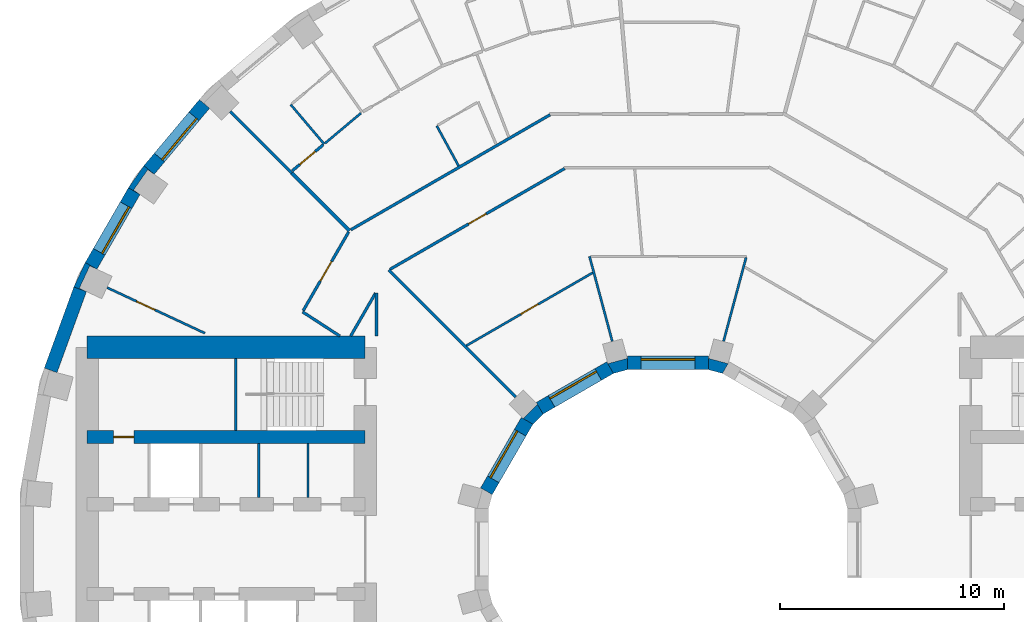
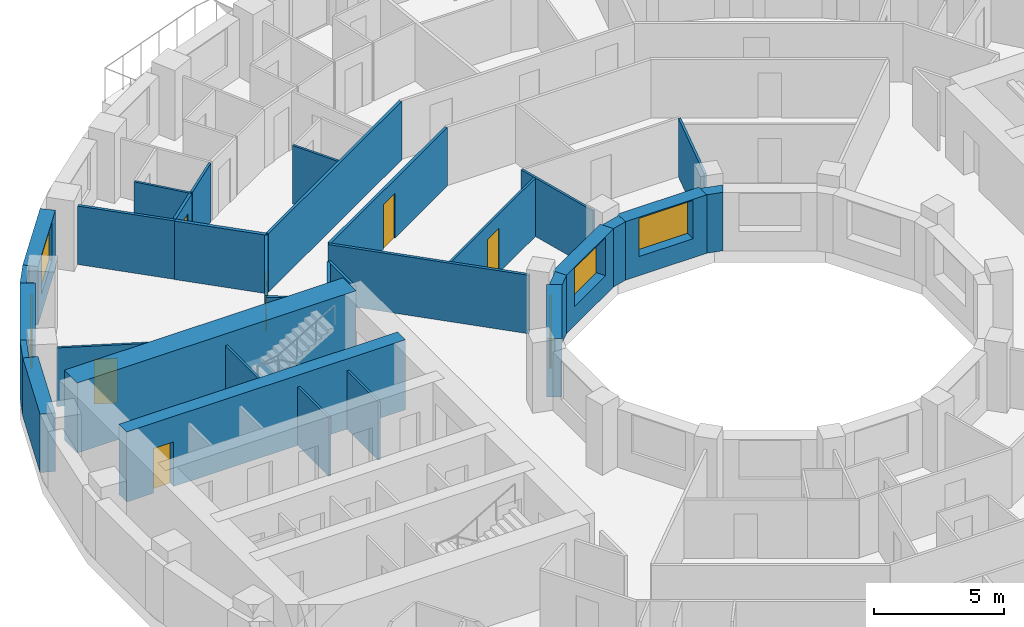
# One storey, part 10 of 15: 33 walls, 6 doors, 5 windows, 11 openings.
"""IFC4 building model written with IfcOpenShell, lengths in metres."""

from ifc_helpers import new_model, si_unit, direction, frame, frame_2d, origin, place, context, subcontext, project, spatial, polyline, rectangle, outline, extrude, material, layer, layer_set, type_object, element, fill, save


model = new_model("IFC4")

# Units and contexts
model_context = context("Model", 3, precision=1e-05, world=origin(), true_north=direction((0.0, 1.0)))
body_context = subcontext(model_context, "Body", "Model", "MODEL_VIEW")
ifc_project = project(units=[si_unit("LENGTHUNIT", "METRE"), si_unit("AREAUNIT", "SQUARE_METRE"), si_unit("VOLUMEUNIT", "CUBIC_METRE"), si_unit("PLANEANGLEUNIT", "RADIAN"), si_unit("MASSUNIT", "GRAM", prefix="KILO")], contexts=[model_context])

# Site, building, storey
site_placement = place(None, origin())
site = spatial("IfcSite", under=ifc_project, at=site_placement, CompositionType="ELEMENT")
building_placement = place(site_placement, origin())
building = spatial("IfcBuilding", under=site, at=building_placement, Name="Saqina Gate Tower", CompositionType="ELEMENT")
storey_placement = place(building_placement, frame((0.0, 0.0, 75.800048828125)))
storey = spatial("IfcBuildingStorey", under=building, at=storey_placement, Name="L21", CompositionType="ELEMENT", Elevation=75.800048828125)

# Walls
ifc_material_1 = material(Name="Brick masonry (red)", Category="masonry")
wall_type_1 = type_object("IfcWallType", Name="BRICK PIER COPING RED", PredefinedType="SOLIDWALL", material=ifc_material_1)
wall_1_placement = place(storey_placement, origin())
element("IfcWall", 1, at=wall_1_placement, inside=storey, type_object=wall_type_1, Name="Pier cap L21 column 15", PredefinedType="SOLIDWALL", context=body_context, shape_type="SweptSolid", body=[
    extrude(outline(polyline([(-23.36669921875, 17.096923828125), (-24.0576171875, 16.110107421875), (-23.5380859375, 15.81005859375), (-23.8251953125, 16.010986328125), (-23.194091796875, 16.912109375), (-22.9072265625, 16.711181640625), (-23.36669921875, 17.096923828125)])), origin(), (0.0, 0.0, 1.0), 2.75),
])
wall_2_placement = place(storey_placement, origin())
element("IfcWall", 2, at=wall_2_placement, inside=storey, type_object=wall_type_1, Name="Pier cap L21 column 16", PredefinedType="SOLIDWALL", context=body_context, shape_type="SweptSolid", body=[
    extrude(outline(polyline([(-26.48974609375, 11.687744140625), (-25.92578125, 11.482666015625), (-26.243408203125, 11.630615234375), (-25.778564453125, 12.627685546875), (-25.4609375, 12.4794921875), (-25.980712890625, 12.779541015625), (-26.48974609375, 11.687744140625)])), origin(), (0.0, 0.0, 1.0), 2.75),
])
ifc_material_2 = material(Name="Gypsum board on steel studs", Category="steel")
ifc_layer_1 = layer(ifc_material_2, 0.10009765625)
ifc_layer_set_1 = layer_set([ifc_layer_1], Name="CORE PARTITION")
wall_type_2 = type_object("IfcWallType", Name="CORE PARTITION", PredefinedType="PARTITIONING", material=ifc_layer_set_1)
for number, where, z_axis, x_axis, name in (
    (3, (-16.052001953125, 2.300048828125, 0.0), (0.0, 0.0, 1.0), (0.0, 1.0, 0.0), "L21-CP-W01"),
    (4, (-18.24072265625, 2.300048828125, 0.0), (0.0, 0.0, 1.0), (0.0, 1.0, 0.0), "L21-CP-W02"),
):
    element("IfcWall", number, at=place(storey_placement, frame(where, z_axis=z_axis, x_axis=x_axis)), inside=storey, type_object=wall_type_2, Name=name, PredefinedType="PARTITIONING", context=body_context, shape_type="SweptSolid", body=[
        extrude(rectangle(XDim=2.39990234375, YDim=0.10009765625, at=frame_2d((1.199951171875, 0.0))), origin(), (0.0, 0.0, 1.0), 2.75),
    ])

# Wall, opening, window
ifc_material_3 = material(Name="Brick masonry (red)", Category="masonry")
ifc_layer_2 = layer(ifc_material_3, 0.60009765625)
ifc_layer_set_2 = layer_set([ifc_layer_2], Name="FW-BRICK-RED")
wall_type_3 = type_object("IfcWallType", Name="FW-BRICK-RED", PredefinedType="SOLIDWALL", material=ifc_layer_set_2)
wall_3_placement = place(storey_placement, frame((-20.664794921875, 19.85009765625, 0.0), z_axis=(0.0, 0.0, 1.0), x_axis=(-0.642809392687, -0.766026164483, 0.0)))
wall_3 = element("IfcWall", 5, at=wall_3_placement, inside=storey, type_object=wall_type_3, Name="Facade wall L21 facet 14", PredefinedType="SOLIDWALL", context=body_context, shape_type="SweptSolid", body=[
    extrude(rectangle(XDim=3.845947265625, YDim=0.60009765625, at=frame_2d((1.9228515625, 0.0))), origin(), (0.0, 0.0, 1.0), 2.75),
])
opening_1_placement = place(wall_3_placement, frame((0.722900390625, 0.0, 0.89990234375)))
opening_1 = element("IfcOpeningElement", 6, at=opening_1_placement, cuts=wall_3, Name="Opening G06-W08", PredefinedType="OPENING", context=body_context, shape_type="SweptSolid", body=[
    extrude(rectangle(XDim=2.39990234375, YDim=1.800048828125, at=frame_2d((1.199951171875, 0.89990234375))), frame((0.0, 0.31201171875, 0.0), z_axis=(0.0, -1.0, 0.0), x_axis=(1.0, 0.0, 0.0)), (0.0, 0.0, 1.0), 0.6240234375),
])
ifc_material_4 = material(Name="Aluminium glazing", Category="aluminium")
window_type_1 = type_object("IfcWindowType", Name="WN-A", PartitioningType="SINGLE_PANEL", PredefinedType="WINDOW", material=ifc_material_4)
window_1_placement = place(opening_1_placement, origin())
window_1 = element("IfcWindow", 7, at=window_1_placement, inside=storey, type_object=window_type_1, Name="Window L21 facet 14", OverallHeight=1.800048828125, OverallWidth=2.39990234375, PartitioningType="SINGLE_PANEL", PredefinedType="WINDOW", context=body_context, shape_type="SweptSolid", body=[
    extrude(rectangle(XDim=2.39990234375, YDim=1.800048828125, at=frame_2d((1.199951171875, 0.89990234375))), frame((0.0, 0.179931640625, 0.0), z_axis=(0.0, -1.0, 0.0), x_axis=(1.0, 0.0, 0.0)), (0.0, 0.0, 1.0), 0.06005859375),
])
fill(opening_1, window_1)

wall_4_placement = place(storey_placement, frame((-23.7978515625, 15.960205078125, 0.0), z_axis=(0.0, 0.0, 1.0), x_axis=(-0.499989888488, -0.86603124159, 0.0)))
wall_4 = element("IfcWall", 8, at=wall_4_placement, inside=storey, type_object=wall_type_3, Name="Facade wall L21 facet 15", PredefinedType="SOLIDWALL", context=body_context, shape_type="SweptSolid", body=[
    extrude(rectangle(XDim=3.845703125, YDim=0.60009765625, at=frame_2d((1.9228515625, 0.0))), origin(), (0.0, 0.0, 1.0), 2.75),
])
opening_2_placement = place(wall_4_placement, frame((0.722900390625, 0.0, 0.89990234375)))
opening_2 = element("IfcOpeningElement", 9, at=opening_2_placement, cuts=wall_4, Name="Opening G06-W09", PredefinedType="OPENING", context=body_context, shape_type="SweptSolid", body=[
    extrude(rectangle(XDim=2.39990234375, YDim=1.800048828125, at=frame_2d((1.199951171875, 0.89990234375))), frame((0.0, 0.31201171875, 0.0), z_axis=(0.0, -1.0, 0.0), x_axis=(1.0, 0.0, 0.0)), (0.0, 0.0, 1.0), 0.6240234375),
])
window_2_placement = place(opening_2_placement, origin())
window_2 = element("IfcWindow", 10, at=window_2_placement, inside=storey, type_object=window_type_1, Name="Window L21 facet 15", OverallHeight=1.800048828125, OverallWidth=2.39990234375, PartitioningType="SINGLE_PANEL", PredefinedType="WINDOW", context=body_context, shape_type="SweptSolid", body=[
    extrude(rectangle(XDim=2.39990234375, YDim=1.800048828125, at=frame_2d((1.199951171875, 0.89990234375))), frame((0.0, 0.179931640625, 0.0), z_axis=(0.0, -1.0, 0.0), x_axis=(1.0, 0.0, 0.0)), (0.0, 0.0, 1.0), 0.06005859375),
])
fill(opening_2, window_2)

# Wall
ifc_material_5 = material(Name="Glazed ceramic tile", Category="ceramic")
ifc_layer_3 = layer(ifc_material_5, 0.60009765625)
ifc_layer_set_3 = layer_set([ifc_layer_3], Name="FW-TILE")
wall_type_4 = type_object("IfcWallType", Name="FW-TILE", PredefinedType="SOLIDWALL", material=ifc_layer_set_3)
wall_5_placement = place(storey_placement, frame((-26.207763671875, 11.585205078125, 0.0), z_axis=(0.0, 0.0, 1.0), x_axis=(-0.342028474173, -0.939689588564, 0.0)))
element("IfcWall", 11, at=wall_5_placement, inside=storey, type_object=wall_type_4, Name="Facade wall L21 facet 16", PredefinedType="SOLIDWALL", context=body_context, shape_type="SweptSolid", body=[
    extrude(rectangle(XDim=3.845947265625, YDim=0.60009765625, at=frame_2d((1.9228515625, 0.0))), origin(), (0.0, 0.0, 1.0), 2.75),
])

# Wall, opening, window
ifc_material_6 = material(Name="Glazed ceramic tile", Category="ceramic")
ifc_layer_4 = layer(ifc_material_6, 0.60009765625)
ifc_layer_set_4 = layer_set([ifc_layer_4], Name="IW-TILE")
wall_type_5 = type_object("IfcWallType", Name="IW-TILE", PredefinedType="SOLIDWALL", material=ifc_layer_set_4)
wall_6_placement = place(storey_placement, frame((1.8125, 8.300048828125, 0.0), z_axis=(0.0, 0.0, 1.0), x_axis=(-1.0, 0.0, 0.0)))
wall_6 = element("IfcWall", 12, at=wall_6_placement, inside=storey, type_object=wall_type_5, Name="Well wall L21 facet 3", PredefinedType="SOLIDWALL", context=body_context, shape_type="SweptSolid", body=[
    extrude(rectangle(XDim=3.625, YDim=0.60009765625, at=frame_2d((1.8125, 0.0))), origin(), (0.0, 0.0, 1.0), 2.75),
])
opening_3_placement = place(wall_6_placement, frame((0.612548828125, 0.0, 0.89990234375)))
opening_3 = element("IfcOpeningElement", 13, at=opening_3_placement, cuts=wall_6, Name="Opening G06-W25", PredefinedType="OPENING", context=body_context, shape_type="SweptSolid", body=[
    extrude(rectangle(XDim=2.39990234375, YDim=1.800048828125, at=frame_2d((1.199951171875, 0.89990234375))), frame((0.0, 0.31201171875, 0.0), z_axis=(0.0, -1.0, 0.0), x_axis=(1.0, 0.0, 0.0)), (0.0, 0.0, 1.0), 0.6240234375),
])
ifc_material_7 = material(Name="Aluminium glazing", Category="aluminium")
window_type_2 = type_object("IfcWindowType", Name="WN-W", PartitioningType="SINGLE_PANEL", PredefinedType="WINDOW", material=ifc_material_7)
window_3_placement = place(opening_3_placement, origin())
window_3 = element("IfcWindow", 14, at=window_3_placement, inside=storey, type_object=window_type_2, Name="Well window L21 facet 3", OverallHeight=1.800048828125, OverallWidth=2.39990234375, PartitioningType="SINGLE_PANEL", PredefinedType="WINDOW", context=body_context, shape_type="SweptSolid", body=[
    extrude(rectangle(XDim=2.39990234375, YDim=1.800048828125, at=frame_2d((1.199951171875, 0.89990234375))), frame((0.0, -0.119873046875, 0.0), z_axis=(0.0, -1.0, 0.0), x_axis=(1.0, 0.0, 0.0)), (0.0, 0.0, 1.0), 0.06005859375),
])
fill(opening_3, window_3)

wall_7_placement = place(storey_placement, frame((-2.580322265625, 8.09423828125, 0.0), z_axis=(0.0, 0.0, 1.0), x_axis=(-0.866029693906, -0.499992569217, 0.0)))
wall_7 = element("IfcWall", 15, at=wall_7_placement, inside=storey, type_object=wall_type_5, Name="Well wall L21 facet 4", PredefinedType="SOLIDWALL", context=body_context, shape_type="SweptSolid", body=[
    extrude(rectangle(XDim=3.625, YDim=0.60009765625, at=frame_2d((1.8125, 0.0))), origin(), (0.0, 0.0, 1.0), 2.75),
])
opening_4_placement = place(wall_7_placement, frame((0.612548828125, 0.0, 0.89990234375)))
opening_4 = element("IfcOpeningElement", 16, at=opening_4_placement, cuts=wall_7, Name="Opening G06-W26", PredefinedType="OPENING", context=body_context, shape_type="SweptSolid", body=[
    extrude(rectangle(XDim=2.39990234375, YDim=1.800048828125, at=frame_2d((1.199951171875, 0.89990234375))), frame((0.0, 0.31201171875, 0.0), z_axis=(0.0, -1.0, 0.0), x_axis=(1.0, 0.0, 0.0)), (0.0, 0.0, 1.0), 0.6240234375),
])
window_4_placement = place(opening_4_placement, origin())
window_4 = element("IfcWindow", 17, at=window_4_placement, inside=storey, type_object=window_type_2, Name="Well window L21 facet 4", OverallHeight=1.800048828125, OverallWidth=2.39990234375, PartitioningType="SINGLE_PANEL", PredefinedType="WINDOW", context=body_context, shape_type="SweptSolid", body=[
    extrude(rectangle(XDim=2.39990234375, YDim=1.800048828125, at=frame_2d((1.199951171875, 0.89990234375))), frame((0.0, -0.119873046875, 0.0), z_axis=(0.0, -1.0, 0.0), x_axis=(1.0, 0.0, 0.0)), (0.0, 0.0, 1.0), 0.06005859375),
])
fill(opening_4, window_4)

wall_8_placement = place(storey_placement, frame((-6.28173828125, 5.7197265625, 0.0), z_axis=(0.0, 0.0, 1.0), x_axis=(-0.499992569217, -0.866029693906, 0.0)))
wall_8 = element("IfcWall", 18, at=wall_8_placement, inside=storey, type_object=wall_type_5, Name="Well wall L21 facet 5", PredefinedType="SOLIDWALL", context=body_context, shape_type="SweptSolid", body=[
    extrude(rectangle(XDim=3.625, YDim=0.60009765625, at=frame_2d((1.8125, 0.0))), origin(), (0.0, 0.0, 1.0), 2.75),
])
opening_5_placement = place(wall_8_placement, frame((0.612548828125, 0.0, 0.89990234375)))
opening_5 = element("IfcOpeningElement", 19, at=opening_5_placement, cuts=wall_8, Name="Opening G06-W27", PredefinedType="OPENING", context=body_context, shape_type="SweptSolid", body=[
    extrude(rectangle(XDim=2.39990234375, YDim=1.800048828125, at=frame_2d((1.199951171875, 0.89990234375))), frame((0.0, 0.31201171875, 0.0), z_axis=(0.0, -1.0, 0.0), x_axis=(1.0, 0.0, 0.0)), (0.0, 0.0, 1.0), 0.6240234375),
])
window_5_placement = place(opening_5_placement, origin())
window_5 = element("IfcWindow", 20, at=window_5_placement, inside=storey, type_object=window_type_2, Name="Well window L21 facet 5", OverallHeight=1.800048828125, OverallWidth=2.39990234375, PartitioningType="SINGLE_PANEL", PredefinedType="WINDOW", context=body_context, shape_type="SweptSolid", body=[
    extrude(rectangle(XDim=2.39990234375, YDim=1.800048828125, at=frame_2d((1.199951171875, 0.89990234375))), frame((0.0, -0.119873046875, 0.0), z_axis=(0.0, -1.0, 0.0), x_axis=(1.0, 0.0, 0.0)), (0.0, 0.0, 1.0), 0.06005859375),
])
fill(opening_5, window_5)

# Walls
ifc_material_8 = material(Name="Gypsum board on steel studs, 100 mm", Category="steel")
ifc_layer_5 = layer(ifc_material_8, 0.10009765625)
ifc_layer_set_5 = layer_set([ifc_layer_5], Name="PARTITION 100")
wall_type_6 = type_object("IfcWallType", Name="PARTITION 100", PredefinedType="PARTITIONING", material=ifc_layer_set_5)
wall_9_placement = place(storey_placement, frame((-3.4970703125, 13.050048828125, 0.0), z_axis=(0.0, 0.0, 1.0), x_axis=(0.25883367308, -0.965921906616, 0.0)))
element("IfcWall", 21, at=wall_9_placement, inside=storey, type_object=wall_type_6, Name="PARTITION PW3-08", PredefinedType="PARTITIONING", context=body_context, shape_type="SweptSolid", body=[
    extrude(rectangle(XDim=3.918212890625, YDim=0.10009765625, at=frame_2d((1.958984375, 0.0))), origin(), (0.0, 0.0, 1.0), 2.75),
])
wall_10_placement = place(storey_placement, frame((-10.31005859375, 18.8740234375, 0.0), z_axis=(0.0, 0.0, 1.0), x_axis=(0.479305195881, -0.877648294707, 0.0)))
element("IfcWall", 22, at=wall_10_placement, inside=storey, type_object=wall_type_6, Name="PARTITION PW3-19", PredefinedType="PARTITIONING", context=body_context, shape_type="SweptSolid", body=[
    extrude(rectangle(XDim=2.03857421875, YDim=0.10009765625, at=frame_2d((1.019287109375, 0.0))), origin(), (0.0, 0.0, 1.0), 2.75),
])
wall_11_placement = place(storey_placement, frame((-16.81689453125, 19.81591796875, 0.0), z_axis=(0.0, 0.0, 1.0), x_axis=(0.646883930741, -0.762588473653, 0.0)))
element("IfcWall", 23, at=wall_11_placement, inside=storey, type_object=wall_type_6, Name="PARTITION PW3-33", PredefinedType="PARTITIONING", context=body_context, shape_type="SweptSolid", body=[
    extrude(rectangle(XDim=2.300048828125, YDim=0.10009765625, at=frame_2d((1.14990234375, 0.0))), origin(), (0.0, 0.0, 1.0), 2.75),
])

# Wall, opening, door
wall_12_placement = place(storey_placement, frame((-25.005126953125, 11.659912109375, 0.0), z_axis=(0.0, 0.0, 1.0), x_axis=(0.90635409516, -0.422518939442, 0.0)))
wall_12 = element("IfcWall", 24, at=wall_12_placement, inside=storey, type_object=wall_type_6, Name="PARTITION PW3-47", PredefinedType="PARTITIONING", context=body_context, shape_type="SweptSolid", body=[
    extrude(rectangle(XDim=4.813720703125, YDim=0.10009765625, at=frame_2d((2.40673828125, 0.0))), origin(), (0.0, 0.0, 1.0), 2.75),
])
opening_6_placement = place(wall_12_placement, frame((1.453125, 0.0, 0.0)))
opening_6 = element("IfcOpeningElement", 25, at=opening_6_placement, cuts=wall_12, Name="Opening G06-D33", PredefinedType="OPENING", context=body_context, shape_type="SweptSolid", body=[
    extrude(rectangle(XDim=0.89990234375, YDim=2.10009765625, at=frame_2d((0.449951171875, 1.050048828125))), frame((0.0, 0.06201171875, 0.0), z_axis=(0.0, -1.0, 0.0), x_axis=(1.0, 0.0, 0.0)), (0.0, 0.0, 1.0), 0.1240234375),
])
ifc_material_9 = material(Name="Timber door leaf, 900 mm", Category="wood")
door_type_1 = type_object("IfcDoorType", Name="DOOR 900 TIMBER", OperationType="SINGLE_SWING_LEFT", PredefinedType="DOOR", material=ifc_material_9)
door_1_placement = place(opening_6_placement, origin())
door_1 = element("IfcDoor", 26, at=door_1_placement, inside=storey, type_object=door_type_1, Name="DOOR G06-D33", OperationType="SINGLE_SWING_LEFT", OverallHeight=2.10009765625, OverallWidth=0.89990234375, PredefinedType="DOOR", context=body_context, shape_type="SweptSolid", body=[
    extrude(rectangle(XDim=0.89990234375, YDim=2.10009765625, at=frame_2d((0.449951171875, 1.050048828125))), frame((0.0, 0.02490234375, 0.0), z_axis=(0.0, -1.0, 0.0), x_axis=(1.0, 0.0, 0.0)), (0.0, 0.0, 1.0), 0.050048828125),
])
fill(opening_6, door_1)

wall_13_placement = place(storey_placement, frame((-8.98681640625, 9.072265625, 0.0), z_axis=(0.0, 0.0, 1.0), x_axis=(0.866049975988, 0.49995743728, 0.0)))
wall_13 = element("IfcWall", 27, at=wall_13_placement, inside=storey, type_object=wall_type_6, Name="PARTITION PW3-78", PredefinedType="PARTITIONING", context=body_context, shape_type="SweptSolid", body=[
    extrude(rectangle(XDim=6.50537109375, YDim=0.10009765625, at=frame_2d((3.252685546875, 0.0))), origin(), (0.0, 0.0, 1.0), 2.75),
])
opening_7_placement = place(wall_13_placement, frame((2.796875, 0.0, 0.0)))
opening_7 = element("IfcOpeningElement", 28, at=opening_7_placement, cuts=wall_13, Name="Opening G06-D27", PredefinedType="OPENING", context=body_context, shape_type="SweptSolid", body=[
    extrude(rectangle(XDim=0.89990234375, YDim=2.10009765625, at=frame_2d((0.449951171875, 1.050048828125))), frame((0.0, 0.06201171875, 0.0), z_axis=(0.0, -1.0, 0.0), x_axis=(1.0, 0.0, 0.0)), (0.0, 0.0, 1.0), 0.1240234375),
])
door_2_placement = place(opening_7_placement, origin())
door_2 = element("IfcDoor", 29, at=door_2_placement, inside=storey, type_object=door_type_1, Name="DOOR G06-D27", OperationType="SINGLE_SWING_LEFT", OverallHeight=2.10009765625, OverallWidth=0.89990234375, PredefinedType="DOOR", context=body_context, shape_type="SweptSolid", body=[
    extrude(rectangle(XDim=0.89990234375, YDim=2.10009765625, at=frame_2d((0.449951171875, 1.050048828125))), frame((0.0, 0.02490234375, 0.0), z_axis=(0.0, -1.0, 0.0), x_axis=(1.0, 0.0, 0.0)), (0.0, 0.0, 1.0), 0.050048828125),
])
fill(opening_7, door_2)

# Walls
wall_14_placement = place(storey_placement, frame((-15.290771484375, 18.09423828125, 0.0), z_axis=(0.0, 0.0, 1.0), x_axis=(0.765911671875, 0.642945807114, 0.0)))
element("IfcWall", 30, at=wall_14_placement, inside=storey, type_object=wall_type_6, Name="PARTITION PW3-90", PredefinedType="PARTITIONING", context=body_context, shape_type="SweptSolid", body=[
    extrude(rectangle(XDim=2.092529296875, YDim=0.10009765625, at=frame_2d((1.04638671875, 0.0))), origin(), (0.0, 0.0, 1.0), 2.75),
])
wall_15_placement = place(storey_placement, frame((2.4794921875, 9.26611328125, 0.0), z_axis=(0.0, 0.0, 1.0), x_axis=(0.259708651599, 0.965687017768, 0.0)))
element("IfcWall", 31, at=wall_15_placement, inside=storey, type_object=wall_type_6, Name="PARTITION PW3-111", PredefinedType="PARTITIONING", context=body_context, shape_type="SweptSolid", body=[
    extrude(rectangle(XDim=3.868408203125, YDim=0.10009765625, at=frame_2d((1.93408203125, 0.0))), origin(), (0.0, 0.0, 1.0), 2.75),
])
ifc_material_10 = material(Name="Gypsum board on steel studs, 125 mm, fire rated", Category="steel")
ifc_layer_6 = layer(ifc_material_10, 0.125)
ifc_layer_set_6 = layer_set([ifc_layer_6], Name="PARTITION EI 30 125")
wall_type_7 = type_object("IfcWallType", Name="PARTITION EI 30 125", PredefinedType="PARTITIONING", material=ifc_layer_set_6)
wall_16_placement = place(storey_placement, frame((-19.509033203125, 19.509033203125, 0.0), z_axis=(0.0, 0.0, 1.0), x_axis=(0.707106781187, -0.707106781187, 0.0)))
element("IfcWall", 32, at=wall_16_placement, inside=storey, type_object=wall_type_7, Name="PARTITION PW1-12", PredefinedType="PARTITIONING", context=body_context, shape_type="SweptSolid", body=[
    extrude(rectangle(XDim=3.87255859375, YDim=0.125, at=frame_2d((1.936279296875, 0.0))), origin(), (0.0, 0.0, 1.0), 2.75),
])
wall_17_placement = place(storey_placement, frame((-12.445068359375, 12.445068359375, 0.0), z_axis=(0.0, 0.0, 1.0), x_axis=(0.707106781187, -0.707106781187, 0.0)))
element("IfcWall", 33, at=wall_17_placement, inside=storey, type_object=wall_type_7, Name="PARTITION PW1-13", PredefinedType="PARTITIONING", context=body_context, shape_type="SweptSolid", body=[
    extrude(rectangle(XDim=8.0078125, YDim=0.125, at=frame_2d((4.00390625, 0.0))), origin(), (0.0, 0.0, 1.0), 2.75),
])
wall_18_placement = place(storey_placement, frame((-16.29296875, 10.580078125, 0.0), z_axis=(0.0, 0.0, 1.0), x_axis=(0.838803325008, -0.544434552499, 0.0)))
element("IfcWall", 34, at=wall_18_placement, inside=storey, type_object=wall_type_7, Name="PARTITION PW1-18", PredefinedType="PARTITIONING", context=body_context, shape_type="SweptSolid", body=[
    extrude(rectangle(XDim=1.98388671875, YDim=0.125, at=frame_2d((0.991943359375, 0.0))), origin(), (0.0, 0.0, 1.0), 2.75),
])

# Wall, opening, door
wall_19_placement = place(storey_placement, frame((-12.390869140625, 12.476318359375, 0.0), z_axis=(0.0, 0.0, 1.0), x_axis=(0.866042609802, 0.499970197119, 0.0)))
wall_19 = element("IfcWall", 35, at=wall_19_placement, inside=storey, type_object=wall_type_7, Name="PARTITION PW1-47", PredefinedType="PARTITIONING", context=body_context, shape_type="SweptSolid", body=[
    extrude(rectangle(XDim=8.9853515625, YDim=0.125, at=frame_2d((4.49267578125, 0.0))), origin(), (0.0, 0.0, 1.0), 2.75),
])
opening_8_placement = place(wall_19_placement, frame((4.042724609375, 0.0, 0.0)))
opening_8 = element("IfcOpeningElement", 36, at=opening_8_placement, cuts=wall_19, Name="Opening G06-D28", PredefinedType="OPENING", context=body_context, shape_type="SweptSolid", body=[
    extrude(rectangle(XDim=0.89990234375, YDim=2.10009765625, at=frame_2d((0.449951171875, 1.050048828125))), frame((0.0, 0.074462890625, 0.0), z_axis=(0.0, -1.0, 0.0), x_axis=(1.0, 0.0, 0.0)), (0.0, 0.0, 1.0), 0.14892578125),
])
ifc_material_11 = material(Name="Fire door leaf EI 30, 900 mm")
door_type_2 = type_object("IfcDoorType", Name="DOOR 900 EI 30", OperationType="SINGLE_SWING_LEFT", PredefinedType="DOOR", material=ifc_material_11)
door_3_placement = place(opening_8_placement, frame((0.89990234375, 0.0, 0.0), z_axis=(0.0, 0.0, 1.0), x_axis=(-1.0, 0.0, 0.0)))
door_3 = element("IfcDoor", 37, at=door_3_placement, inside=storey, type_object=door_type_2, Name="DOOR G06-D28", OperationType="SINGLE_SWING_RIGHT", OverallHeight=2.10009765625, OverallWidth=0.89990234375, PredefinedType="DOOR", context=body_context, shape_type="SweptSolid", body=[
    extrude(rectangle(XDim=0.89990234375, YDim=2.10009765625, at=frame_2d((0.449951171875, 1.050048828125))), frame((0.0, 0.02490234375, 0.0), z_axis=(0.0, -1.0, 0.0), x_axis=(1.0, 0.0, 0.0)), (0.0, 0.0, 1.0), 0.050048828125),
])
fill(opening_8, door_3)

# Wall
wall_20_placement = place(storey_placement, frame((-14.136962890625, 14.239501953125, 0.0), z_axis=(0.0, 0.0, 1.0), x_axis=(0.866045301435, 0.499965534674, 0.0)))
element("IfcWall", 38, at=wall_20_placement, inside=storey, type_object=wall_type_7, Name="PARTITION PW1-48", PredefinedType="PARTITIONING", context=body_context, shape_type="SweptSolid", body=[
    extrude(rectangle(XDim=10.259033203125, YDim=0.125, at=frame_2d((5.12939453125, 0.0))), origin(), (0.0, 0.0, 1.0), 2.75),
])

# Wall, opening, door
wall_21_placement = place(storey_placement, frame((-16.757568359375, 16.86328125, 0.0), z_axis=(0.0, 0.0, 1.0), x_axis=(0.766088979655, 0.642734529375, 0.0)))
wall_21 = element("IfcWall", 39, at=wall_21_placement, inside=storey, type_object=wall_type_7, Name="PARTITION PW1-52", PredefinedType="PARTITIONING", context=body_context, shape_type="SweptSolid", body=[
    extrude(rectangle(XDim=1.81494140625, YDim=0.125, at=frame_2d((0.907470703125, 0.0))), origin(), (0.0, 0.0, 1.0), 2.75),
])
opening_9_placement = place(wall_21_placement, frame((0.44482421875, 0.0, 0.0)))
opening_9 = element("IfcOpeningElement", 40, at=opening_9_placement, cuts=wall_21, Name="Opening G06-D31", PredefinedType="OPENING", context=body_context, shape_type="SweptSolid", body=[
    extrude(rectangle(XDim=0.89990234375, YDim=2.10009765625, at=frame_2d((0.449951171875, 1.050048828125))), frame((0.0, 0.074462890625, 0.0), z_axis=(0.0, -1.0, 0.0), x_axis=(1.0, 0.0, 0.0)), (0.0, 0.0, 1.0), 0.14892578125),
])
door_4_placement = place(opening_9_placement, frame((0.89990234375, 0.0, 0.0), z_axis=(0.0, 0.0, 1.0), x_axis=(-1.0, 0.0, 0.0)))
door_4 = element("IfcDoor", 41, at=door_4_placement, inside=storey, type_object=door_type_2, Name="DOOR G06-D31", OperationType="SINGLE_SWING_RIGHT", OverallHeight=2.10009765625, OverallWidth=0.89990234375, PredefinedType="DOOR", context=body_context, shape_type="SweptSolid", body=[
    extrude(rectangle(XDim=0.89990234375, YDim=2.10009765625, at=frame_2d((0.449951171875, 1.050048828125))), frame((0.0, 0.02490234375, 0.0), z_axis=(0.0, -1.0, 0.0), x_axis=(1.0, 0.0, 0.0)), (0.0, 0.0, 1.0), 0.050048828125),
])
fill(opening_9, door_4)

# Wall
wall_22_placement = place(storey_placement, frame((-14.14501953125, 9.5, 0.0), z_axis=(0.0, 0.0, 1.0), x_axis=(0.500012531179, 0.866018168784, 0.0)))
element("IfcWall", 42, at=wall_22_placement, inside=storey, type_object=wall_type_7, Name="PARTITION PW1-57", PredefinedType="PARTITIONING", context=body_context, shape_type="SweptSolid", body=[
    extrude(rectangle(XDim=2.2099609375, YDim=0.125, at=frame_2d((1.10498046875, 0.0))), origin(), (0.0, 0.0, 1.0), 2.75),
])

# Wall, opening, door
wall_23_placement = place(storey_placement, frame((-16.26171875, 10.634033203125, 0.0), z_axis=(0.0, 0.0, 1.0), x_axis=(0.499962802816, 0.866046878523, 0.0)))
wall_23 = element("IfcWall", 43, at=wall_23_placement, inside=storey, type_object=wall_type_7, Name="PARTITION PW1-58", PredefinedType="PARTITIONING", context=body_context, shape_type="SweptSolid", body=[
    extrude(rectangle(XDim=4.044677734375, YDim=0.125, at=frame_2d((2.0224609375, 0.0))), origin(), (0.0, 0.0, 1.0), 2.75),
])
opening_10_placement = place(wall_23_placement, frame((1.528564453125, 0.0, 0.0)))
opening_10 = element("IfcOpeningElement", 44, at=opening_10_placement, cuts=wall_23, Name="Opening G06-D32", PredefinedType="OPENING", context=body_context, shape_type="SweptSolid", body=[
    extrude(rectangle(XDim=1.0, YDim=2.10009765625, at=frame_2d((0.5, 1.050048828125))), frame((0.0, 0.074462890625, 0.0), z_axis=(0.0, -1.0, 0.0), x_axis=(1.0, 0.0, 0.0)), (0.0, 0.0, 1.0), 0.14892578125),
])
ifc_material_12 = material(Name="Fire door leaf EI 30, 1000 mm")
door_type_3 = type_object("IfcDoorType", Name="DOOR 1000 EI 30", OperationType="SINGLE_SWING_LEFT", PredefinedType="DOOR", material=ifc_material_12)
door_5_placement = place(opening_10_placement, frame((1.0, 0.0, 0.0), z_axis=(0.0, 0.0, 1.0), x_axis=(-1.0, 0.0, 0.0)))
door_5 = element("IfcDoor", 45, at=door_5_placement, inside=storey, type_object=door_type_3, Name="DOOR G06-D32", OperationType="SINGLE_SWING_LEFT", OverallHeight=2.10009765625, OverallWidth=1.0, PredefinedType="DOOR", context=body_context, shape_type="SweptSolid", body=[
    extrude(rectangle(XDim=1.0, YDim=2.10009765625, at=frame_2d((0.5, 1.050048828125))), frame((0.0, 0.02490234375, 0.0), z_axis=(0.0, -1.0, 0.0), x_axis=(1.0, 0.0, 0.0)), (0.0, 0.0, 1.0), 0.050048828125),
])
fill(opening_10, door_5)

# Walls
wall_24_placement = place(storey_placement, frame((-13.0, 9.5, 0.0), z_axis=(0.0, 0.0, 1.0), x_axis=(0.0, 1.0, 0.0)))
element("IfcWall", 46, at=wall_24_placement, inside=storey, type_object=wall_type_7, Name="PARTITION PW1-63", PredefinedType="PARTITIONING", context=body_context, shape_type="SweptSolid", body=[
    extrude(rectangle(XDim=1.92041015625, YDim=0.125, at=frame_2d((0.960205078125, 0.0))), origin(), (0.0, 0.0, 1.0), 2.75),
])
ifc_material_13 = material(Name="Gypsum board on steel studs, 150 mm, fire rated", Category="steel")
ifc_layer_7 = layer(ifc_material_13, 0.14990234375)
ifc_layer_set_7 = layer_set([ifc_layer_7], Name="PARTITION EI 60 150")
wall_type_8 = type_object("IfcWallType", Name="PARTITION EI 60 150", PredefinedType="PARTITIONING", material=ifc_layer_set_7)
wall_25_placement = place(storey_placement, frame((-16.770751953125, 16.770751953125, 0.0), z_axis=(0.0, 0.0, 1.0), x_axis=(0.707106781187, -0.707106781187, 0.0)))
element("IfcWall", 47, at=wall_25_placement, inside=storey, type_object=wall_type_8, Name="PARTITION PW2-02", PredefinedType="PARTITIONING", context=body_context, shape_type="SweptSolid", body=[
    extrude(rectangle(XDim=3.6328125, YDim=0.14990234375, at=frame_2d((1.81640625, 0.0))), origin(), (0.0, 0.0, 1.0), 2.75),
])
ifc_material_14 = material(Name="Autoclaved aerated concrete block", Category="concrete")
ifc_layer_8 = layer(ifc_material_14, 0.10009765625)
ifc_layer_set_8 = layer_set([ifc_layer_8], Name="STAIR ENCLOSURE WALL")
wall_type_9 = type_object("IfcWallType", Name="STAIR ENCLOSURE WALL", PredefinedType="PARTITIONING", material=ifc_layer_set_8)
wall_26_placement = place(storey_placement, frame((-19.27001953125, 5.300048828125, 0.0), z_axis=(0.0, 0.0, 1.0), x_axis=(0.0, 1.0, 0.0)))
element("IfcWall", 48, at=wall_26_placement, inside=storey, type_object=wall_type_9, Name="L21-CP-W10", PredefinedType="PARTITIONING", context=body_context, shape_type="SweptSolid", body=[
    extrude(rectangle(XDim=3.199951171875, YDim=0.10009765625, at=frame_2d((1.60009765625, 0.0))), origin(), (0.0, 0.0, 1.0), 2.75),
])

# Wall, opening, door
ifc_material_15 = material(Name="Concrete C70/85", Category="concrete")
ifc_layer_9 = layer(ifc_material_15, 0.60009765625)
ifc_layer_set_9 = layer_set([ifc_layer_9], Name="Concrete C70/85")
wall_type_10 = type_object("IfcWallType", Name="STR-CORE WALL-A-I", PredefinedType="SHEAR", material=ifc_layer_set_9)
wall_27_placement = place(storey_placement, frame((-13.5, 5.0, 0.0), z_axis=(0.0, 0.0, 1.0), x_axis=(-1.0, 0.0, 0.0)))
wall_27 = element("IfcWall", 49, at=wall_27_placement, inside=storey, type_object=wall_type_10, Name="CORE WALL L21 W-X1", PredefinedType="SHEAR", context=body_context, shape_type="SweptSolid", body=[
    extrude(rectangle(XDim=12.39990234375, YDim=0.60009765625, at=frame_2d((6.199951171875, 0.0))), origin(), (0.0, 0.0, 1.0), 3.300048828125),
])
opening_11_placement = place(wall_27_placement, frame((10.31005859375, 0.0, 0.0)))
opening_11 = element("IfcOpeningElement", 50, at=opening_11_placement, cuts=wall_27, Name="Opening G06-D110", PredefinedType="OPENING", context=body_context, shape_type="SweptSolid", body=[
    extrude(rectangle(XDim=0.89990234375, YDim=2.10009765625, at=frame_2d((0.449951171875, 1.050048828125))), frame((0.0, 0.31201171875, 0.0), z_axis=(0.0, -1.0, 0.0), x_axis=(1.0, 0.0, 0.0)), (0.0, 0.0, 1.0), 0.6240234375),
])
ifc_material_16 = material(Name="Steel-framed fire door leaf, EI 60", Category="steel")
door_type_4 = type_object("IfcDoorType", Name="SERVICE ROOM DOOR 900", OperationType="SINGLE_SWING_LEFT", PredefinedType="DOOR", material=ifc_material_16)
door_6_placement = place(opening_11_placement, frame((0.89990234375, 0.0, 0.0), z_axis=(0.0, 0.0, 1.0), x_axis=(-1.0, 0.0, 0.0)))
door_6 = element("IfcDoor", 51, at=door_6_placement, inside=storey, type_object=door_type_4, Name="L21-CD-W21", OperationType="SINGLE_SWING_LEFT", OverallHeight=2.10009765625, OverallWidth=0.89990234375, PredefinedType="DOOR", context=body_context, shape_type="SweptSolid", body=[
    extrude(rectangle(XDim=0.89990234375, YDim=2.10009765625, at=frame_2d((0.449951171875, 1.050048828125))), frame((0.0, 0.02490234375, 0.0), z_axis=(0.0, -1.0, 0.0), x_axis=(1.0, 0.0, 0.0)), (0.0, 0.0, 1.0), 0.050048828125),
])
fill(opening_11, door_6)

# Walls
ifc_material_17 = material(Name="Concrete C70/85", Category="concrete")
ifc_layer_10 = layer(ifc_material_17, 1.0)
ifc_layer_set_10 = layer_set([ifc_layer_10], Name="Concrete C70/85")
wall_type_11 = type_object("IfcWallType", Name="STR-CORE WALL-A-O", PredefinedType="SHEAR", material=ifc_layer_set_10)
wall_28_placement = place(storey_placement, frame((-13.5, 9.0, 0.0), z_axis=(0.0, 0.0, 1.0), x_axis=(-1.0, 0.0, 0.0)))
element("IfcWall", 52, at=wall_28_placement, inside=storey, type_object=wall_type_11, Name="CORE WALL L21 W-NE", PredefinedType="SHEAR", context=body_context, shape_type="SweptSolid", body=[
    extrude(rectangle(XDim=12.39990234375, YDim=1.0, at=frame_2d((6.199951171875, 0.0))), origin(), (0.0, 0.0, 1.0), 3.300048828125),
])
ifc_material_18 = material(Name="Glazed ceramic tile", Category="ceramic")
wall_type_12 = type_object("IfcWallType", Name="TILE PIER COPING", PredefinedType="SOLIDWALL", material=ifc_material_18)
wall_29_placement = place(storey_placement, origin())
element("IfcWall", 53, at=wall_29_placement, inside=storey, type_object=wall_type_12, Name="Well pier cap L21 column 3", PredefinedType="SOLIDWALL", context=body_context, shape_type="SweptSolid", body=[
    extrude(outline(polyline([(1.8125, 8.502685546875), (1.8125, 8.0), (2.430419921875, 7.83447265625), (2.681884765625, 8.27001953125), (1.8125, 8.502685546875)])), origin(), (0.0, 0.0, 1.0), 2.75),
])
wall_30_placement = place(storey_placement, origin())
element("IfcWall", 54, at=wall_30_placement, inside=storey, type_object=wall_type_12, Name="Well pier cap L21 column 4", PredefinedType="SOLIDWALL", context=body_context, shape_type="SweptSolid", body=[
    extrude(outline(polyline([(-2.681884765625, 8.27001953125), (-2.430419921875, 7.83447265625), (-1.8125, 8.0), (-1.8125, 8.502685546875), (-2.681884765625, 8.27001953125)])), origin(), (0.0, 0.0, 1.0), 2.75),
])
wall_31_placement = place(storey_placement, origin())
element("IfcWall", 55, at=wall_31_placement, inside=storey, type_object=wall_type_12, Name="Well pier cap L21 column 5", PredefinedType="SOLIDWALL", context=body_context, shape_type="SweptSolid", body=[
    extrude(outline(polyline([(-6.45751953125, 5.821044921875), (-6.02197265625, 5.569580078125), (-5.569580078125, 6.02197265625), (-5.821044921875, 6.45751953125), (-6.45751953125, 5.821044921875)])), origin(), (0.0, 0.0, 1.0), 2.75),
])

save(model, "model.ifc")
